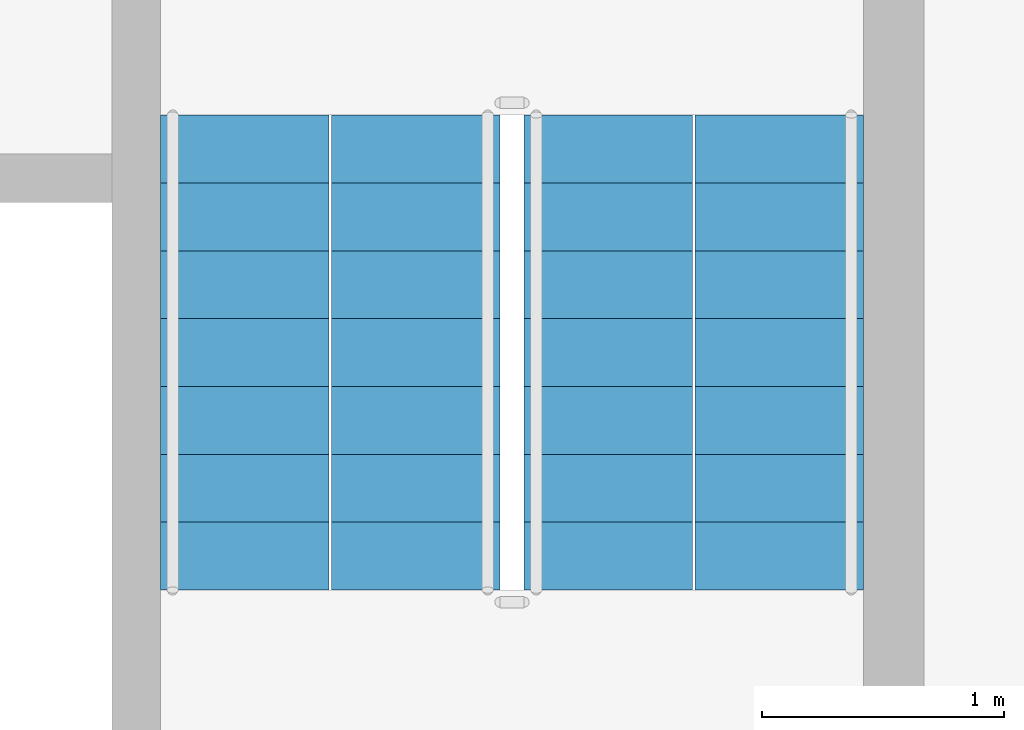
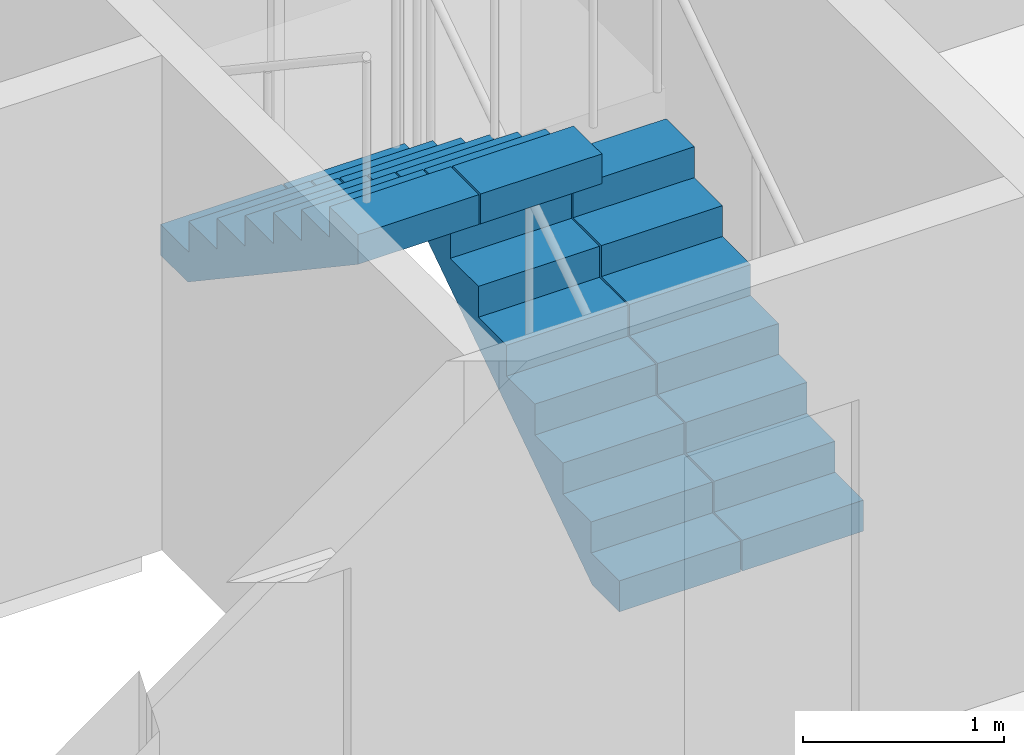
# One storey, part 64 of 94: 2 stair flights, 1 element without a shape of its own.
"""IFC4 building model written with IfcOpenShell, lengths in metres."""

from ifc_helpers import new_model, si_unit, direction, frame, origin, place, context, subcontext, project, spatial, polyline, outline, extrude, material, type_object, element, aggregate, save


model = new_model("IFC4")

# Units and contexts
model_context = context("Model", 3, precision=1e-05, world=origin(), true_north=direction((0.0, 1.0)))
body_context = subcontext(model_context, "Body", "Model", "MODEL_VIEW")
ifc_project = project(units=[si_unit("LENGTHUNIT", "METRE"), si_unit("AREAUNIT", "SQUARE_METRE"), si_unit("VOLUMEUNIT", "CUBIC_METRE"), si_unit("PLANEANGLEUNIT", "RADIAN"), si_unit("MASSUNIT", "GRAM", prefix="KILO")], contexts=[model_context])

# Site, building, storey
site_placement = place(None, origin())
site = spatial("IfcSite", under=ifc_project, at=site_placement, CompositionType="ELEMENT")
building_placement = place(site_placement, origin())
building = spatial("IfcBuilding", under=site, at=building_placement, Name="Ridgestep Commons", CompositionType="ELEMENT")
storey_placement = place(building_placement, frame((0.0, 0.0, 24.0)))
storey = spatial("IfcBuildingStorey", under=building, at=storey_placement, Name="L08", CompositionType="ELEMENT", Elevation=24.0)

# Stair, stair flights
ifc_material_1 = material(Name="Precast concrete C40/50", Category="concrete")
stair_type = type_object("IfcStairType", Name="Escape stair 1400", PredefinedType="HALF_TURN_STAIR", material=ifc_material_1)
stair_placement = place(storey_placement, origin())
stair = element("IfcStair", 1, at=stair_placement, inside=storey, type_object=stair_type, Name="L08 Escape stair C6C", PredefinedType="HALF_TURN_STAIR")
ifc_material_2 = material(Name="Precast concrete C40/50", Category="concrete")
stair_flight_type = type_object("IfcStairFlightType", Name="Stair flight 1400", PredefinedType="STRAIGHT", material=ifc_material_2)
stair_flight_1_placement = place(storey_placement, frame((235.97509765625, 73.60009765625, 0.0), z_axis=(0.0, 0.0, 1.0), x_axis=(0.0, 1.0, 0.0)))
stair_flight_1 = element("IfcStairFlight", 2, at=stair_flight_1_placement, type_object=stair_flight_type, Name="C6C flight 1", NumberOfRisers=8, NumberOfTreads=7, PredefinedType="STRAIGHT", RiserHeight=0.1875, TreadLength=0.28, context=body_context, shape_type="SweptSolid", body=[
    extrude(outline(polyline([(0.0, 0.0), (0.0, 0.1875), (0.280029296875, 0.1875), (0.280029296875, 0.375), (0.56005859375, 0.375), (0.56005859375, 0.5625), (0.840087890625, 0.5625), (0.840087890625, 0.75), (1.1201171875, 0.75), (1.1201171875, 0.9375), (1.39990234375, 0.9375), (1.39990234375, 1.125), (1.679931640625, 1.125), (1.679931640625, 1.3125), (1.9599609375, 1.3125), (1.9599609375, 1.5), (1.9599609375, 1.132080078125), (0.26953125, 0.0), (0.0, 0.0)])), frame((0.0, 0.699951171875, 0.0), z_axis=(0.0, -1.0, 0.0), x_axis=(1.0, 0.0, 0.0)), (0.0, 0.0, 1.0), 0.695068359375),
    extrude(outline(polyline([(0.0, 0.0), (0.0, 0.1875), (0.280029296875, 0.1875), (0.280029296875, 0.375), (0.56005859375, 0.375), (0.56005859375, 0.5625), (0.840087890625, 0.5625), (0.840087890625, 0.75), (1.1201171875, 0.75), (1.1201171875, 0.9375), (1.39990234375, 0.9375), (1.39990234375, 1.125), (1.679931640625, 1.125), (1.679931640625, 1.3125), (1.9599609375, 1.3125), (1.9599609375, 1.5), (1.9599609375, 1.132080078125), (0.26953125, 0.0), (0.0, 0.0)])), frame((0.0, -0.0048828125, 0.0), z_axis=(0.0, -1.0, 0.0), x_axis=(1.0, 0.0, 0.0)), (0.0, 0.0, 1.0), 0.695068359375),
])
stair_flight_2_placement = place(storey_placement, frame((234.47509765625, 75.56005859375, 1.5), z_axis=(0.0, 0.0, 1.0), x_axis=(0.0, -1.0, 0.0)))
stair_flight_2 = element("IfcStairFlight", 3, at=stair_flight_2_placement, type_object=stair_flight_type, Name="C6C flight 2", NumberOfRisers=8, NumberOfTreads=7, PredefinedType="STRAIGHT", RiserHeight=0.1875, TreadLength=0.28, context=body_context, shape_type="SweptSolid", body=[
    extrude(outline(polyline([(0.0, 0.0), (0.0, 0.1875), (0.280029296875, 0.1875), (0.280029296875, 0.375), (0.56005859375, 0.375), (0.56005859375, 0.5625), (0.840087890625, 0.5625), (0.840087890625, 0.75), (1.1201171875, 0.75), (1.1201171875, 0.9375), (1.39990234375, 0.9375), (1.39990234375, 1.125), (1.679931640625, 1.125), (1.679931640625, 1.3125), (1.9599609375, 1.3125), (1.9599609375, 1.5), (1.9599609375, 1.132080078125), (0.26953125, 0.0), (0.0, 0.0)])), frame((0.0, 0.699951171875, 0.0), z_axis=(0.0, -1.0, 0.0), x_axis=(1.0, 0.0, 0.0)), (0.0, 0.0, 1.0), 0.695068359375),
    extrude(outline(polyline([(0.0, 0.0), (0.0, 0.1875), (0.280029296875, 0.1875), (0.280029296875, 0.375), (0.56005859375, 0.375), (0.56005859375, 0.5625), (0.840087890625, 0.5625), (0.840087890625, 0.75), (1.1201171875, 0.75), (1.1201171875, 0.9375), (1.39990234375, 0.9375), (1.39990234375, 1.125), (1.679931640625, 1.125), (1.679931640625, 1.3125), (1.9599609375, 1.3125), (1.9599609375, 1.5), (1.9599609375, 1.132080078125), (0.26953125, 0.0), (0.0, 0.0)])), frame((0.0, -0.0048828125, 0.0), z_axis=(0.0, -1.0, 0.0), x_axis=(1.0, 0.0, 0.0)), (0.0, 0.0, 1.0), 0.695068359375),
])
aggregate(stair, [stair_flight_1, stair_flight_2])

save(model, "model.ifc")
